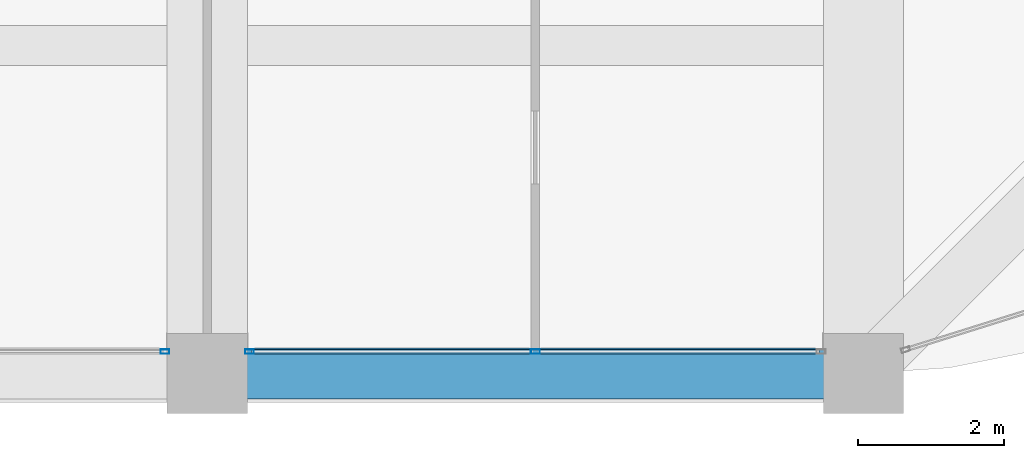
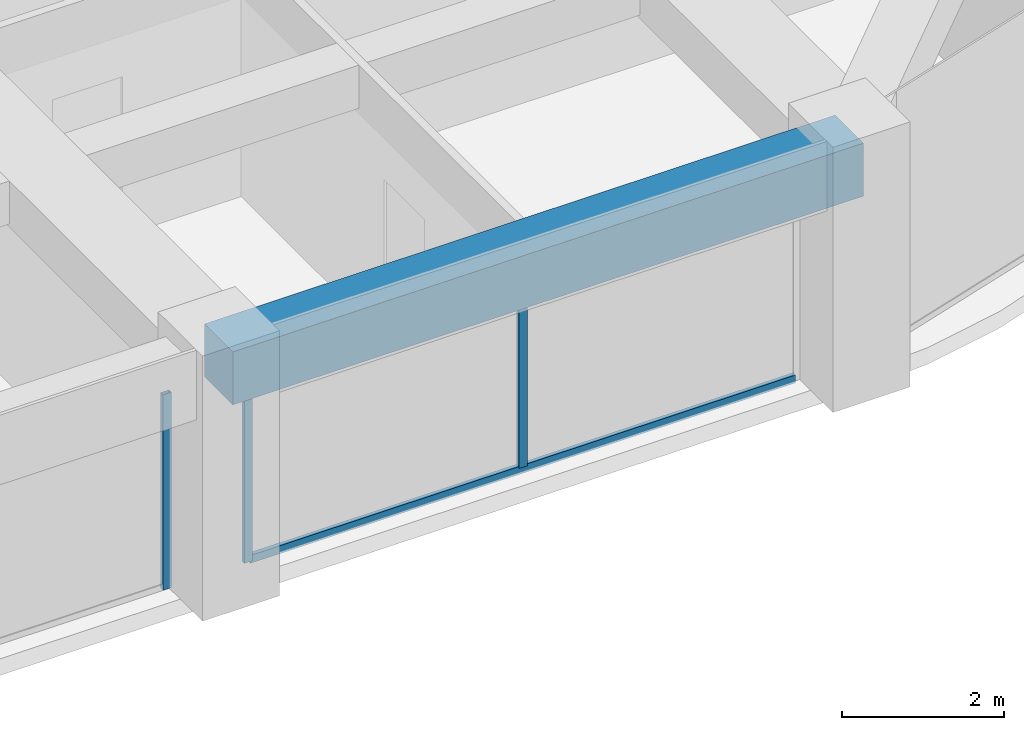
# One storey, part 11 of 44: 4 members, 1 beam, 2 elements without a shape of their own.
"""IFC4 building model written with IfcOpenShell, lengths in metres."""

from ifc_helpers import new_model, si_unit, direction, frame, origin, origin_2d, place, context, subcontext, project, spatial, rectangle, hollow_rectangle, extrude, material, material_profile, profile_set, type_object, element, aggregate, save


model = new_model("IFC4")

# Units and contexts
model_context = context("Model", 3, precision=1e-05, world=origin(), true_north=direction((0.0, 1.0)))
body_context = subcontext(model_context, "Body", "Model", "MODEL_VIEW")
ifc_project = project(units=[si_unit("LENGTHUNIT", "METRE"), si_unit("AREAUNIT", "SQUARE_METRE"), si_unit("VOLUMEUNIT", "CUBIC_METRE"), si_unit("PLANEANGLEUNIT", "RADIAN"), si_unit("MASSUNIT", "GRAM", prefix="KILO")], contexts=[model_context])

# Site, building, storey
site_placement = place(None, origin())
site = spatial("IfcSite", under=ifc_project, at=site_placement, CompositionType="ELEMENT")
building_placement = place(site_placement, origin())
building = spatial("IfcBuilding", under=site, at=building_placement, Name="Zorevar Civic Tower", CompositionType="ELEMENT")
storey_placement = place(building_placement, frame((0.0, 0.0, 299.39990234375)))
storey = spatial("IfcBuildingStorey", under=building, at=storey_placement, Name="L73", CompositionType="ELEMENT", Elevation=299.39990234375)

# Curtain wall, member
ifc_material_1 = material(Name="Dark grey solar-control glass in black aluminium frame", Category="aluminium")
curtain_wall_type = type_object("IfcCurtainWallType", Name="Curtain wall CW5 top zone", PredefinedType="NOTDEFINED", material=ifc_material_1)
curtain_wall_1_placement = place(storey_placement, origin())
curtain_wall_1 = element("IfcCurtainWall", 1, at=curtain_wall_1_placement, inside=storey, type_object=curtain_wall_type, Name="CW5 L73", PredefinedType="NOTDEFINED")
ifc_material_2 = material(Name="Aluminium, black anodised", Category="aluminium")
ifc_material_profile_1 = material_profile(ifc_material_2, hollow_rectangle(XDim=0.06005859375, YDim=0.1201171875, WallThickness=0.0029296875, at=origin_2d()), Name="AL 120x60x3")
ifc_profile_set_1 = profile_set([ifc_material_profile_1], Name="Aluminium, black anodised")
member_type_1 = type_object("IfcMemberType", Name="CW5 mullion AL 120x60x3", PredefinedType="MULLION", material=ifc_profile_set_1)
member_1_placement = place(storey_placement, frame((35.419921875, 0.300048828125, 0.0), z_axis=(0.0, 0.0, 1.0), x_axis=(0.0, 1.0, 0.0)))
member_1 = element("IfcMember", 2, at=member_1_placement, type_object=member_type_1, Name="CW5 mullion 3", PredefinedType="MULLION", context=body_context, shape_type="SweptSolid", body=[
    extrude(hollow_rectangle(XDim=0.06005859375, YDim=0.1201171875, WallThickness=0.0029296875, at=origin_2d()), origin(), (0.0, 0.0, 1.0), 2.9501953125),
])
aggregate(curtain_wall_1, [member_1])

# Curtain wall, members
curtain_wall_2_placement = place(storey_placement, origin())
curtain_wall_2 = element("IfcCurtainWall", 3, at=curtain_wall_2_placement, inside=storey, type_object=curtain_wall_type, Name="CW5 L73", PredefinedType="NOTDEFINED")
member_2_placement = place(storey_placement, frame((36.580078125, 0.300048828125, 0.0), z_axis=(0.0, 0.0, 1.0), x_axis=(0.0, 1.0, 0.0)))
member_2 = element("IfcMember", 4, at=member_2_placement, type_object=member_type_1, Name="CW5 mullion 1", PredefinedType="MULLION", context=body_context, shape_type="SweptSolid", body=[
    extrude(hollow_rectangle(XDim=0.06005859375, YDim=0.1201171875, WallThickness=0.0029296875, at=origin_2d()), origin(), (0.0, 0.0, 1.0), 2.9501953125),
])
member_3_placement = place(storey_placement, frame((40.5, 0.300048828125, 0.06005859375), z_axis=(0.0, 0.0, 1.0), x_axis=(0.0, 1.0, 0.0)))
member_3 = element("IfcMember", 5, at=member_3_placement, type_object=member_type_1, Name="CW5 mullion 2", PredefinedType="MULLION", context=body_context, shape_type="SweptSolid", body=[
    extrude(hollow_rectangle(XDim=0.06005859375, YDim=0.1201171875, WallThickness=0.0029296875, at=origin_2d()), origin(), (0.0, 0.0, 1.0), 2.89013671875),
])
ifc_material_3 = material(Name="Aluminium, black anodised", Category="aluminium")
ifc_material_profile_2 = material_profile(ifc_material_3, hollow_rectangle(XDim=0.06005859375, YDim=0.1201171875, WallThickness=0.0029296875, at=origin_2d()), Name="AL 120x60x3")
ifc_profile_set_2 = profile_set([ifc_material_profile_2], Name="Aluminium, black anodised")
member_type_2 = type_object("IfcMemberType", Name="CW5 transom AL 120x60x3", PredefinedType="USERDEFINED", material=ifc_profile_set_2)
member_4_placement = place(storey_placement, frame((36.610107421875, 0.300048828125, 0.030029296875), z_axis=(1.0, 0.0, 0.0), x_axis=(0.0, 1.0, 0.0)))
member_4 = element("IfcMember", 6, at=member_4_placement, type_object=member_type_2, Name="CW5 sill transom", ObjectType="TRANSOM", PredefinedType="USERDEFINED", context=body_context, shape_type="SweptSolid", body=[
    extrude(hollow_rectangle(XDim=0.06005859375, YDim=0.1201171875, WallThickness=0.0029296875, at=origin_2d()), origin(), (0.0, 0.0, 1.0), 7.77978515625),
])
aggregate(curtain_wall_2, [member_2, member_3, member_4])

# Beam
ifc_material_4 = material(Name="Concrete C50/60", Category="concrete")
ifc_material_profile_3 = material_profile(ifc_material_4, rectangle(XDim=0.699951171875, YDim=0.800048828125, at=origin_2d()), Name="RC 700x800")
ifc_profile_set_3 = profile_set([ifc_material_profile_3], Name="Concrete C50/60")
beam_type = type_object("IfcBeamType", Name="Edge beam RC 700x800", PredefinedType="SPANDREL", material=ifc_profile_set_3)
beam_placement = place(storey_placement, frame((36.0, 0.0, 3.35009765625), z_axis=(1.0, 0.0, 0.0), x_axis=(0.0, 1.0, 0.0)))
element("IfcBeam", 7, at=beam_placement, inside=storey, type_object=beam_type, Name="Edge beam L74", PredefinedType="SPANDREL", context=body_context, shape_type="SweptSolid", body=[
    extrude(rectangle(XDim=0.699951171875, YDim=0.800048828125, at=origin_2d()), origin(), (0.0, 0.0, 1.0), 9.0),
])

save(model, "model.ifc")
